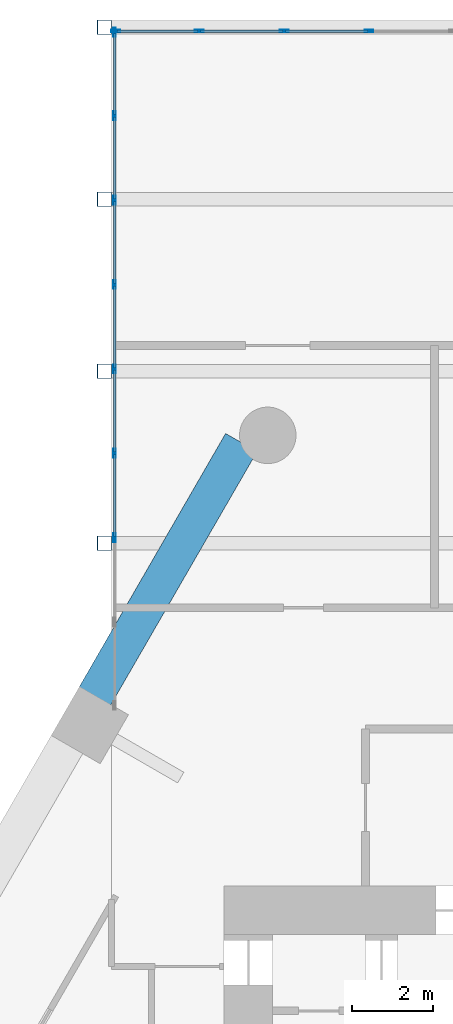
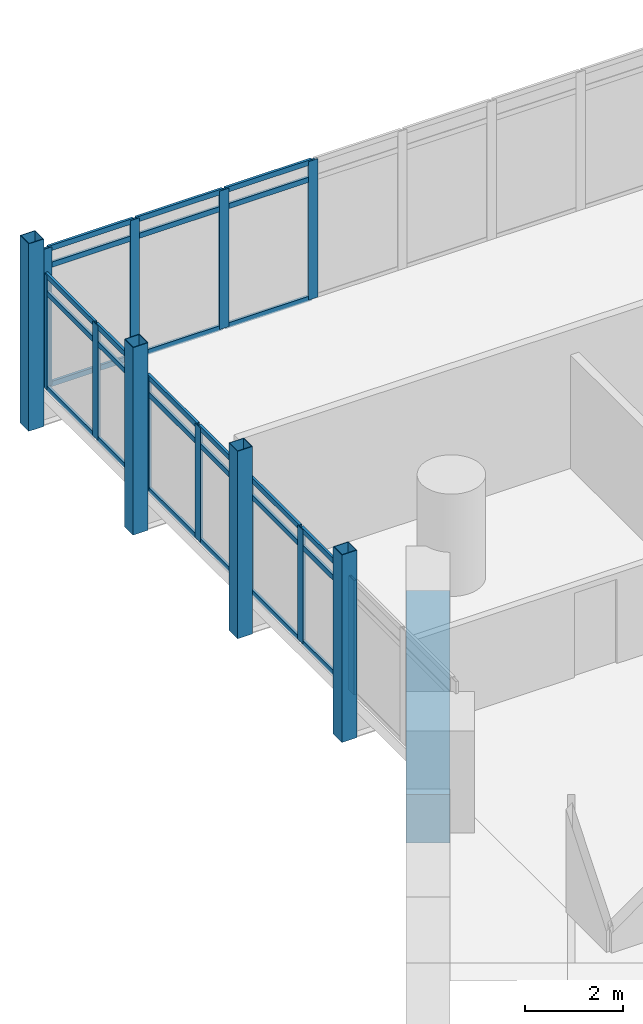
# One storey, part 13 of 28: 42 members, 1 beam, 2 elements without a shape of their own.
"""IFC4 building model written with IfcOpenShell, lengths in metres."""

from ifc_helpers import new_model, si_unit, direction, frame, origin, origin_2d, place, context, subcontext, project, spatial, rectangle, hollow_rectangle, extrude, material, material_profile, profile_set, type_object, element, aggregate, save


model = new_model("IFC4")

# Units and contexts
model_context = context("Model", 3, precision=1e-05, world=origin(), true_north=direction((0.0, 1.0)))
body_context = subcontext(model_context, "Body", "Model", "MODEL_VIEW")
ifc_project = project(units=[si_unit("LENGTHUNIT", "METRE"), si_unit("AREAUNIT", "SQUARE_METRE"), si_unit("VOLUMEUNIT", "CUBIC_METRE"), si_unit("PLANEANGLEUNIT", "RADIAN"), si_unit("MASSUNIT", "GRAM", prefix="KILO")], contexts=[model_context])

# Site, building, storey
site_placement = place(None, origin())
site = spatial("IfcSite", under=ifc_project, at=site_placement, CompositionType="ELEMENT")
building_placement = place(site_placement, origin())
building = spatial("IfcBuilding", under=site, at=building_placement, Name="Ostrander Bayou Hotel Tower", CompositionType="ELEMENT")
storey_placement = place(building_placement, frame((0.0, 0.0, 76.75)))
storey = spatial("IfcBuildingStorey", under=building, at=storey_placement, Name="L19", CompositionType="ELEMENT", Elevation=76.75)

# Curtain wall, members
ifc_material_1 = material(Name="Aluminium and clear glass", Category="aluminium")
curtain_wall_type = type_object("IfcCurtainWallType", Name="CW-BAR glazed wall", PredefinedType="NOTDEFINED", material=ifc_material_1)
curtain_wall_1_placement = place(storey_placement, origin())
curtain_wall_1 = element("IfcCurtainWall", 1, at=curtain_wall_1_placement, inside=storey, type_object=curtain_wall_type, Name="CW-BAR L19:SB1N:E", PredefinedType="NOTDEFINED")
ifc_material_2 = material(Name="Aluminium", Category="aluminium")
ifc_material_profile_1 = material_profile(ifc_material_2, hollow_rectangle(XDim=0.06005859375, YDim=0.219970703125, WallThickness=0.00390625, at=origin_2d()))
ifc_profile_set_1 = profile_set([ifc_material_profile_1], Name="Aluminium")
member_type_1 = type_object("IfcMemberType", Name="CW-BR mullion 60 x 220 mm", PredefinedType="MULLION", material=ifc_profile_set_1)
member_1_placement = place(storey_placement, frame((-14.712158203125, 18.33154296875, 0.0), z_axis=(0.0, 0.0, 1.0), x_axis=(-1.0, 0.0, 0.0)))
member_1 = element("IfcMember", 2, at=member_1_placement, type_object=member_type_1, Name="CW-BAR mullion 3", PredefinedType="MULLION", context=body_context, shape_type="SweptSolid", body=[
    extrude(hollow_rectangle(XDim=0.06005859375, YDim=0.219970703125, WallThickness=0.00390625, at=origin_2d()), origin(), (0.0, 0.0, 1.0), 2.85009765625),
])
member_2_placement = place(storey_placement, frame((-14.712158203125, 20.424072265625, 0.0), z_axis=(0.0, 0.0, 1.0), x_axis=(-1.0, 0.0, 0.0)))
member_2 = element("IfcMember", 3, at=member_2_placement, type_object=member_type_1, Name="CW-BAR mullion 4", PredefinedType="MULLION", context=body_context, shape_type="SweptSolid", body=[
    extrude(hollow_rectangle(XDim=0.06005859375, YDim=0.219970703125, WallThickness=0.00390625, at=origin_2d()), origin(), (0.0, 0.0, 1.0), 2.85009765625),
])
member_3_placement = place(storey_placement, frame((-14.712158203125, 22.5166015625, 0.0), z_axis=(0.0, 0.0, 1.0), x_axis=(-1.0, 0.0, 0.0)))
member_3 = element("IfcMember", 4, at=member_3_placement, type_object=member_type_1, Name="CW-BAR mullion 5", PredefinedType="MULLION", context=body_context, shape_type="SweptSolid", body=[
    extrude(hollow_rectangle(XDim=0.06005859375, YDim=0.219970703125, WallThickness=0.00390625, at=origin_2d()), origin(), (0.0, 0.0, 1.0), 2.85009765625),
])
member_4_placement = place(storey_placement, frame((-14.712158203125, 24.60888671875, 0.0), z_axis=(0.0, 0.0, 1.0), x_axis=(-1.0, 0.0, 0.0)))
member_4 = element("IfcMember", 5, at=member_4_placement, type_object=member_type_1, Name="CW-BAR mullion 6", PredefinedType="MULLION", context=body_context, shape_type="SweptSolid", body=[
    extrude(hollow_rectangle(XDim=0.06005859375, YDim=0.219970703125, WallThickness=0.00390625, at=origin_2d()), origin(), (0.0, 0.0, 1.0), 2.85009765625),
])
member_5_placement = place(storey_placement, frame((-14.712158203125, 26.701416015625, 0.0), z_axis=(0.0, 0.0, 1.0), x_axis=(-1.0, 0.0, 0.0)))
member_5 = element("IfcMember", 6, at=member_5_placement, type_object=member_type_1, Name="CW-BAR mullion 7", PredefinedType="MULLION", context=body_context, shape_type="SweptSolid", body=[
    extrude(hollow_rectangle(XDim=0.06005859375, YDim=0.219970703125, WallThickness=0.00390625, at=origin_2d()), origin(), (0.0, 0.0, 1.0), 2.85009765625),
])
member_6_placement = place(storey_placement, frame((-14.712158203125, 28.793701171875, 0.0), z_axis=(0.0, 0.0, 1.0), x_axis=(-1.0, 0.0, 0.0)))
member_6 = element("IfcMember", 7, at=member_6_placement, type_object=member_type_1, Name="CW-BAR mullion 8", PredefinedType="MULLION", context=body_context, shape_type="SweptSolid", body=[
    extrude(hollow_rectangle(XDim=0.06005859375, YDim=0.219970703125, WallThickness=0.00390625, at=origin_2d()), origin(), (0.0, 0.0, 1.0), 2.85009765625),
])
member_7_placement = place(storey_placement, frame((-14.712158203125, 30.856201171875, 0.0), z_axis=(0.0, 0.0, 1.0), x_axis=(-1.0, 0.0, 0.0)))
member_7 = element("IfcMember", 8, at=member_7_placement, type_object=member_type_1, Name="CW-BAR mullion 9", PredefinedType="MULLION", context=body_context, shape_type="SweptSolid", body=[
    extrude(hollow_rectangle(XDim=0.06005859375, YDim=0.219970703125, WallThickness=0.00390625, at=origin_2d()), origin(), (0.0, 0.0, 1.0), 2.85009765625),
])

curtain_wall_2_placement = place(storey_placement, origin())
curtain_wall_2 = element("IfcCurtainWall", 9, at=curtain_wall_2_placement, inside=storey, type_object=curtain_wall_type, Name="CW-BAR L19:SB1N:T", PredefinedType="NOTDEFINED")
member_8_placement = place(storey_placement, frame((-14.68212890625, 30.88623046875, 0.0), z_axis=(0.0, 0.0, 1.0), x_axis=(0.0, 1.0, 0.0)))
member_8 = element("IfcMember", 10, at=member_8_placement, type_object=member_type_1, Name="CW-BAR mullion 1", PredefinedType="MULLION", context=body_context, shape_type="SweptSolid", body=[
    extrude(hollow_rectangle(XDim=0.06005859375, YDim=0.219970703125, WallThickness=0.00390625, at=origin_2d()), origin(), (0.0, 0.0, 1.0), 3.449951171875),
])
member_9_placement = place(storey_placement, frame((-12.6103515625, 30.88623046875, 0.0), z_axis=(0.0, 0.0, 1.0), x_axis=(0.0, 1.0, 0.0)))
member_9 = element("IfcMember", 11, at=member_9_placement, type_object=member_type_1, Name="CW-BAR mullion 2", PredefinedType="MULLION", context=body_context, shape_type="SweptSolid", body=[
    extrude(hollow_rectangle(XDim=0.06005859375, YDim=0.219970703125, WallThickness=0.00390625, at=origin_2d()), origin(), (0.0, 0.0, 1.0), 3.449951171875),
])
member_10_placement = place(storey_placement, frame((-10.5087890625, 30.88623046875, 0.0), z_axis=(0.0, 0.0, 1.0), x_axis=(0.0, 1.0, 0.0)))
member_10 = element("IfcMember", 12, at=member_10_placement, type_object=member_type_1, Name="CW-BAR mullion 3", PredefinedType="MULLION", context=body_context, shape_type="SweptSolid", body=[
    extrude(hollow_rectangle(XDim=0.06005859375, YDim=0.219970703125, WallThickness=0.00390625, at=origin_2d()), origin(), (0.0, 0.0, 1.0), 3.449951171875),
])
member_11_placement = place(storey_placement, frame((-8.406982421875, 30.88623046875, 0.0), z_axis=(0.0, 0.0, 1.0), x_axis=(0.0, 1.0, 0.0)))
member_11 = element("IfcMember", 13, at=member_11_placement, type_object=member_type_1, Name="CW-BAR mullion 4", PredefinedType="MULLION", context=body_context, shape_type="SweptSolid", body=[
    extrude(hollow_rectangle(XDim=0.06005859375, YDim=0.219970703125, WallThickness=0.00390625, at=origin_2d()), origin(), (0.0, 0.0, 1.0), 3.449951171875),
])

# Member
ifc_material_3 = material(Name="Aluminium", Category="aluminium")
ifc_material_profile_2 = material_profile(ifc_material_3, hollow_rectangle(XDim=0.06005859375, YDim=0.1298828125, WallThickness=0.00390625, at=origin_2d()))
ifc_profile_set_2 = profile_set([ifc_material_profile_2], Name="Aluminium")
member_type_2 = type_object("IfcMemberType", Name="CW-BR transom 60 x 130 mm", PredefinedType="USERDEFINED", material=ifc_profile_set_2)
member_12_placement = place(storey_placement, frame((-14.712158203125, 18.361572265625, 0.030029296875), z_axis=(0.0, 1.0, 0.0), x_axis=(-1.0, 0.0, 0.0)))
member_12 = element("IfcMember", 14, at=member_12_placement, type_object=member_type_2, Name="CW-BAR transom 3.1", ObjectType="TRANSOM", PredefinedType="USERDEFINED", context=body_context, shape_type="SweptSolid", body=[
    extrude(hollow_rectangle(XDim=0.06005859375, YDim=0.1298828125, WallThickness=0.00390625, at=origin_2d()), origin(), (0.0, 0.0, 1.0), 2.032470703125),
])

member_13_placement = place(storey_placement, frame((-14.712158203125, 18.361572265625, 2.39990234375), z_axis=(0.0, 1.0, 0.0), x_axis=(-1.0, 0.0, 0.0)))
member_13 = element("IfcMember", 15, at=member_13_placement, type_object=member_type_2, Name="CW-BAR transom 3.2", ObjectType="TRANSOM", PredefinedType="USERDEFINED", context=body_context, shape_type="SweptSolid", body=[
    extrude(hollow_rectangle(XDim=0.06005859375, YDim=0.1298828125, WallThickness=0.00390625, at=origin_2d()), origin(), (0.0, 0.0, 1.0), 2.032470703125),
])

member_14_placement = place(storey_placement, frame((-14.712158203125, 18.361572265625, 2.820068359375), z_axis=(0.0, 1.0, 0.0), x_axis=(-1.0, 0.0, 0.0)))
member_14 = element("IfcMember", 16, at=member_14_placement, type_object=member_type_2, Name="CW-BAR transom 3.3", ObjectType="TRANSOM", PredefinedType="USERDEFINED", context=body_context, shape_type="SweptSolid", body=[
    extrude(hollow_rectangle(XDim=0.06005859375, YDim=0.1298828125, WallThickness=0.00390625, at=origin_2d()), origin(), (0.0, 0.0, 1.0), 2.032470703125),
])

member_15_placement = place(storey_placement, frame((-14.712158203125, 20.4541015625, 0.030029296875), z_axis=(0.0, 1.0, 0.0), x_axis=(-1.0, 0.0, 0.0)))
member_15 = element("IfcMember", 17, at=member_15_placement, type_object=member_type_2, Name="CW-BAR transom 4.1", ObjectType="TRANSOM", PredefinedType="USERDEFINED", context=body_context, shape_type="SweptSolid", body=[
    extrude(hollow_rectangle(XDim=0.06005859375, YDim=0.1298828125, WallThickness=0.00390625, at=origin_2d()), origin(), (0.0, 0.0, 1.0), 2.032470703125),
])

member_16_placement = place(storey_placement, frame((-14.712158203125, 20.4541015625, 2.39990234375), z_axis=(0.0, 1.0, 0.0), x_axis=(-1.0, 0.0, 0.0)))
member_16 = element("IfcMember", 18, at=member_16_placement, type_object=member_type_2, Name="CW-BAR transom 4.2", ObjectType="TRANSOM", PredefinedType="USERDEFINED", context=body_context, shape_type="SweptSolid", body=[
    extrude(hollow_rectangle(XDim=0.06005859375, YDim=0.1298828125, WallThickness=0.00390625, at=origin_2d()), origin(), (0.0, 0.0, 1.0), 2.032470703125),
])

member_17_placement = place(storey_placement, frame((-14.712158203125, 20.4541015625, 2.820068359375), z_axis=(0.0, 1.0, 0.0), x_axis=(-1.0, 0.0, 0.0)))
member_17 = element("IfcMember", 19, at=member_17_placement, type_object=member_type_2, Name="CW-BAR transom 4.3", ObjectType="TRANSOM", PredefinedType="USERDEFINED", context=body_context, shape_type="SweptSolid", body=[
    extrude(hollow_rectangle(XDim=0.06005859375, YDim=0.1298828125, WallThickness=0.00390625, at=origin_2d()), origin(), (0.0, 0.0, 1.0), 2.032470703125),
])

member_18_placement = place(storey_placement, frame((-14.712158203125, 22.54638671875, 0.030029296875), z_axis=(0.0, 1.0, 0.0), x_axis=(-1.0, 0.0, 0.0)))
member_18 = element("IfcMember", 20, at=member_18_placement, type_object=member_type_2, Name="CW-BAR transom 5.1", ObjectType="TRANSOM", PredefinedType="USERDEFINED", context=body_context, shape_type="SweptSolid", body=[
    extrude(hollow_rectangle(XDim=0.06005859375, YDim=0.1298828125, WallThickness=0.00390625, at=origin_2d()), origin(), (0.0, 0.0, 1.0), 2.032470703125),
])

member_19_placement = place(storey_placement, frame((-14.712158203125, 22.54638671875, 2.39990234375), z_axis=(0.0, 1.0, 0.0), x_axis=(-1.0, 0.0, 0.0)))
member_19 = element("IfcMember", 21, at=member_19_placement, type_object=member_type_2, Name="CW-BAR transom 5.2", ObjectType="TRANSOM", PredefinedType="USERDEFINED", context=body_context, shape_type="SweptSolid", body=[
    extrude(hollow_rectangle(XDim=0.06005859375, YDim=0.1298828125, WallThickness=0.00390625, at=origin_2d()), origin(), (0.0, 0.0, 1.0), 2.032470703125),
])

member_20_placement = place(storey_placement, frame((-14.712158203125, 22.54638671875, 2.820068359375), z_axis=(0.0, 1.0, 0.0), x_axis=(-1.0, 0.0, 0.0)))
member_20 = element("IfcMember", 22, at=member_20_placement, type_object=member_type_2, Name="CW-BAR transom 5.3", ObjectType="TRANSOM", PredefinedType="USERDEFINED", context=body_context, shape_type="SweptSolid", body=[
    extrude(hollow_rectangle(XDim=0.06005859375, YDim=0.1298828125, WallThickness=0.00390625, at=origin_2d()), origin(), (0.0, 0.0, 1.0), 2.032470703125),
])

member_21_placement = place(storey_placement, frame((-14.712158203125, 24.638916015625, 0.030029296875), z_axis=(0.0, 1.0, 0.0), x_axis=(-1.0, 0.0, 0.0)))
member_21 = element("IfcMember", 23, at=member_21_placement, type_object=member_type_2, Name="CW-BAR transom 6.1", ObjectType="TRANSOM", PredefinedType="USERDEFINED", context=body_context, shape_type="SweptSolid", body=[
    extrude(hollow_rectangle(XDim=0.06005859375, YDim=0.1298828125, WallThickness=0.00390625, at=origin_2d()), origin(), (0.0, 0.0, 1.0), 2.032470703125),
])

member_22_placement = place(storey_placement, frame((-14.712158203125, 24.638916015625, 2.39990234375), z_axis=(0.0, 1.0, 0.0), x_axis=(-1.0, 0.0, 0.0)))
member_22 = element("IfcMember", 24, at=member_22_placement, type_object=member_type_2, Name="CW-BAR transom 6.2", ObjectType="TRANSOM", PredefinedType="USERDEFINED", context=body_context, shape_type="SweptSolid", body=[
    extrude(hollow_rectangle(XDim=0.06005859375, YDim=0.1298828125, WallThickness=0.00390625, at=origin_2d()), origin(), (0.0, 0.0, 1.0), 2.032470703125),
])

member_23_placement = place(storey_placement, frame((-14.712158203125, 24.638916015625, 2.820068359375), z_axis=(0.0, 1.0, 0.0), x_axis=(-1.0, 0.0, 0.0)))
member_23 = element("IfcMember", 25, at=member_23_placement, type_object=member_type_2, Name="CW-BAR transom 6.3", ObjectType="TRANSOM", PredefinedType="USERDEFINED", context=body_context, shape_type="SweptSolid", body=[
    extrude(hollow_rectangle(XDim=0.06005859375, YDim=0.1298828125, WallThickness=0.00390625, at=origin_2d()), origin(), (0.0, 0.0, 1.0), 2.032470703125),
])

member_24_placement = place(storey_placement, frame((-14.712158203125, 26.7314453125, 0.030029296875), z_axis=(0.0, 1.0, 0.0), x_axis=(-1.0, 0.0, 0.0)))
member_24 = element("IfcMember", 26, at=member_24_placement, type_object=member_type_2, Name="CW-BAR transom 7.1", ObjectType="TRANSOM", PredefinedType="USERDEFINED", context=body_context, shape_type="SweptSolid", body=[
    extrude(hollow_rectangle(XDim=0.06005859375, YDim=0.1298828125, WallThickness=0.00390625, at=origin_2d()), origin(), (0.0, 0.0, 1.0), 2.0322265625),
])

member_25_placement = place(storey_placement, frame((-14.712158203125, 26.7314453125, 2.39990234375), z_axis=(0.0, 1.0, 0.0), x_axis=(-1.0, 0.0, 0.0)))
member_25 = element("IfcMember", 27, at=member_25_placement, type_object=member_type_2, Name="CW-BAR transom 7.2", ObjectType="TRANSOM", PredefinedType="USERDEFINED", context=body_context, shape_type="SweptSolid", body=[
    extrude(hollow_rectangle(XDim=0.06005859375, YDim=0.1298828125, WallThickness=0.00390625, at=origin_2d()), origin(), (0.0, 0.0, 1.0), 2.0322265625),
])

member_26_placement = place(storey_placement, frame((-14.712158203125, 26.7314453125, 2.820068359375), z_axis=(0.0, 1.0, 0.0), x_axis=(-1.0, 0.0, 0.0)))
member_26 = element("IfcMember", 28, at=member_26_placement, type_object=member_type_2, Name="CW-BAR transom 7.3", ObjectType="TRANSOM", PredefinedType="USERDEFINED", context=body_context, shape_type="SweptSolid", body=[
    extrude(hollow_rectangle(XDim=0.06005859375, YDim=0.1298828125, WallThickness=0.00390625, at=origin_2d()), origin(), (0.0, 0.0, 1.0), 2.0322265625),
])

member_27_placement = place(storey_placement, frame((-14.712158203125, 28.82373046875, 0.030029296875), z_axis=(0.0, 1.0, 0.0), x_axis=(-1.0, 0.0, 0.0)))
member_27 = element("IfcMember", 29, at=member_27_placement, type_object=member_type_2, Name="CW-BAR transom 8.1", ObjectType="TRANSOM", PredefinedType="USERDEFINED", context=body_context, shape_type="SweptSolid", body=[
    extrude(hollow_rectangle(XDim=0.06005859375, YDim=0.1298828125, WallThickness=0.00390625, at=origin_2d()), origin(), (0.0, 0.0, 1.0), 2.00244140625),
])

member_28_placement = place(storey_placement, frame((-14.712158203125, 28.82373046875, 2.39990234375), z_axis=(0.0, 1.0, 0.0), x_axis=(-1.0, 0.0, 0.0)))
member_28 = element("IfcMember", 30, at=member_28_placement, type_object=member_type_2, Name="CW-BAR transom 8.2", ObjectType="TRANSOM", PredefinedType="USERDEFINED", context=body_context, shape_type="SweptSolid", body=[
    extrude(hollow_rectangle(XDim=0.06005859375, YDim=0.1298828125, WallThickness=0.00390625, at=origin_2d()), origin(), (0.0, 0.0, 1.0), 2.00244140625),
])

member_29_placement = place(storey_placement, frame((-14.712158203125, 28.82373046875, 2.820068359375), z_axis=(0.0, 1.0, 0.0), x_axis=(-1.0, 0.0, 0.0)))
member_29 = element("IfcMember", 31, at=member_29_placement, type_object=member_type_2, Name="CW-BAR transom 8.3", ObjectType="TRANSOM", PredefinedType="USERDEFINED", context=body_context, shape_type="SweptSolid", body=[
    extrude(hollow_rectangle(XDim=0.06005859375, YDim=0.1298828125, WallThickness=0.00390625, at=origin_2d()), origin(), (0.0, 0.0, 1.0), 2.00244140625),
])

aggregate(curtain_wall_1, [member_1, member_2, member_3, member_4, member_5, member_6, member_7, member_12, member_13, member_14, member_15, member_16, member_17, member_18, member_19, member_20, member_21, member_22, member_23, member_24, member_25, member_26, member_27, member_28, member_29])

member_30_placement = place(storey_placement, frame((-14.652099609375, 30.88623046875, 0.030029296875), z_axis=(1.0, 0.0, 0.0), x_axis=(0.0, 1.0, 0.0)))
member_30 = element("IfcMember", 32, at=member_30_placement, type_object=member_type_2, Name="CW-BAR transom 1.1", ObjectType="TRANSOM", PredefinedType="USERDEFINED", context=body_context, shape_type="SweptSolid", body=[
    extrude(hollow_rectangle(XDim=0.06005859375, YDim=0.1298828125, WallThickness=0.00390625, at=origin_2d()), origin(), (0.0, 0.0, 1.0), 2.01171875),
])

member_31_placement = place(storey_placement, frame((-14.652099609375, 30.88623046875, 3.0), z_axis=(1.0, 0.0, 0.0), x_axis=(0.0, 1.0, 0.0)))
member_31 = element("IfcMember", 33, at=member_31_placement, type_object=member_type_2, Name="CW-BAR transom 1.2", ObjectType="TRANSOM", PredefinedType="USERDEFINED", context=body_context, shape_type="SweptSolid", body=[
    extrude(hollow_rectangle(XDim=0.06005859375, YDim=0.1298828125, WallThickness=0.00390625, at=origin_2d()), origin(), (0.0, 0.0, 1.0), 2.01171875),
])

member_32_placement = place(storey_placement, frame((-14.652099609375, 30.88623046875, 3.419921875), z_axis=(1.0, 0.0, 0.0), x_axis=(0.0, 1.0, 0.0)))
member_32 = element("IfcMember", 34, at=member_32_placement, type_object=member_type_2, Name="CW-BAR transom 1.3", ObjectType="TRANSOM", PredefinedType="USERDEFINED", context=body_context, shape_type="SweptSolid", body=[
    extrude(hollow_rectangle(XDim=0.06005859375, YDim=0.1298828125, WallThickness=0.00390625, at=origin_2d()), origin(), (0.0, 0.0, 1.0), 2.01171875),
])

member_33_placement = place(storey_placement, frame((-12.58056640625, 30.88623046875, 0.030029296875), z_axis=(1.0, 0.0, 0.0), x_axis=(0.0, 1.0, 0.0)))
member_33 = element("IfcMember", 35, at=member_33_placement, type_object=member_type_2, Name="CW-BAR transom 2.1", ObjectType="TRANSOM", PredefinedType="USERDEFINED", context=body_context, shape_type="SweptSolid", body=[
    extrude(hollow_rectangle(XDim=0.06005859375, YDim=0.1298828125, WallThickness=0.00390625, at=origin_2d()), origin(), (0.0, 0.0, 1.0), 2.041748046875),
])

member_34_placement = place(storey_placement, frame((-12.58056640625, 30.88623046875, 3.0), z_axis=(1.0, 0.0, 0.0), x_axis=(0.0, 1.0, 0.0)))
member_34 = element("IfcMember", 36, at=member_34_placement, type_object=member_type_2, Name="CW-BAR transom 2.2", ObjectType="TRANSOM", PredefinedType="USERDEFINED", context=body_context, shape_type="SweptSolid", body=[
    extrude(hollow_rectangle(XDim=0.06005859375, YDim=0.1298828125, WallThickness=0.00390625, at=origin_2d()), origin(), (0.0, 0.0, 1.0), 2.041748046875),
])

member_35_placement = place(storey_placement, frame((-12.58056640625, 30.88623046875, 3.419921875), z_axis=(1.0, 0.0, 0.0), x_axis=(0.0, 1.0, 0.0)))
member_35 = element("IfcMember", 37, at=member_35_placement, type_object=member_type_2, Name="CW-BAR transom 2.3", ObjectType="TRANSOM", PredefinedType="USERDEFINED", context=body_context, shape_type="SweptSolid", body=[
    extrude(hollow_rectangle(XDim=0.06005859375, YDim=0.1298828125, WallThickness=0.00390625, at=origin_2d()), origin(), (0.0, 0.0, 1.0), 2.041748046875),
])

member_36_placement = place(storey_placement, frame((-10.478759765625, 30.88623046875, 0.030029296875), z_axis=(1.0, 0.0, 0.0), x_axis=(0.0, 1.0, 0.0)))
member_36 = element("IfcMember", 38, at=member_36_placement, type_object=member_type_2, Name="CW-BAR transom 3.1", ObjectType="TRANSOM", PredefinedType="USERDEFINED", context=body_context, shape_type="SweptSolid", body=[
    extrude(hollow_rectangle(XDim=0.06005859375, YDim=0.1298828125, WallThickness=0.00390625, at=origin_2d()), origin(), (0.0, 0.0, 1.0), 2.041748046875),
])

member_37_placement = place(storey_placement, frame((-10.478759765625, 30.88623046875, 3.0), z_axis=(1.0, 0.0, 0.0), x_axis=(0.0, 1.0, 0.0)))
member_37 = element("IfcMember", 39, at=member_37_placement, type_object=member_type_2, Name="CW-BAR transom 3.2", ObjectType="TRANSOM", PredefinedType="USERDEFINED", context=body_context, shape_type="SweptSolid", body=[
    extrude(hollow_rectangle(XDim=0.06005859375, YDim=0.1298828125, WallThickness=0.00390625, at=origin_2d()), origin(), (0.0, 0.0, 1.0), 2.041748046875),
])

member_38_placement = place(storey_placement, frame((-10.478759765625, 30.88623046875, 3.419921875), z_axis=(1.0, 0.0, 0.0), x_axis=(0.0, 1.0, 0.0)))
member_38 = element("IfcMember", 40, at=member_38_placement, type_object=member_type_2, Name="CW-BAR transom 3.3", ObjectType="TRANSOM", PredefinedType="USERDEFINED", context=body_context, shape_type="SweptSolid", body=[
    extrude(hollow_rectangle(XDim=0.06005859375, YDim=0.1298828125, WallThickness=0.00390625, at=origin_2d()), origin(), (0.0, 0.0, 1.0), 2.041748046875),
])

aggregate(curtain_wall_2, [member_8, member_9, member_10, member_11, member_30, member_31, member_32, member_33, member_34, member_35, member_36, member_37, member_38])

# Beam
ifc_material_4 = material(Name="Concrete f'c 70 MPa", Category="concrete")
ifc_material_profile_3 = material_profile(ifc_material_4, rectangle(XDim=0.89990234375, YDim=1.199951171875, at=origin_2d()))
ifc_profile_set_3 = profile_set([ifc_material_profile_3], Name="Concrete f'c 70 MPa")
beam_type = type_object("IfcBeamType", Name="SP1 spandrel beam 900 x 1200 mm f'c 70 MPa", PredefinedType="SPANDREL", material=ifc_profile_set_3)
beam_placement = place(storey_placement, frame((-11.5712890625, 20.694091796875, -0.60009765625), z_axis=(-0.50000343918, -0.866023418164, 0.0), x_axis=(0.866023418164, -0.50000343918, 0.0)))
element("IfcBeam", 41, at=beam_placement, inside=storey, type_object=beam_type, Name="SP1 L19 NW-1", PredefinedType="SPANDREL", context=body_context, shape_type="SweptSolid", body=[
    extrude(rectangle(XDim=0.89990234375, YDim=1.199951171875, at=origin_2d()), origin(), (0.0, 0.0, 1.0), 7.2705078125),
])

# Members
ifc_material_5 = material(Name="Steel ASTM A500 Gr C", Category="steel")
ifc_material_profile_4 = material_profile(ifc_material_5, hollow_rectangle(XDim=0.355712890625, YDim=0.355712890625, WallThickness=0.0146484375, at=origin_2d()))
ifc_profile_set_4 = profile_set([ifc_material_profile_4], Name="Steel ASTM A500 Gr C")
member_type_3 = type_object("IfcMemberType", Name="TH1 bar hanger HSS14x14x5/8", PredefinedType="POST", material=ifc_profile_set_4)
for number, where, z_axis, x_axis, name in (
    (42, (-14.965087890625, 30.986083984375, -0.921875), (0.0, 0.0, 1.0), (1.0, 0.0, 0.0), "TH1 SB1WA H1-4"),
    (43, (-14.965087890625, 26.723876953125, -0.921875), (0.0, 0.0, 1.0), (1.0, 0.0, 0.0), "TH1 SB1WA H2-4"),
    (44, (-14.965087890625, 22.46142578125, -0.921875), (0.0, 0.0, 1.0), (1.0, 0.0, 0.0), "TH1 SB1WA H3-4"),
    (45, (-14.965087890625, 18.198974609375, -0.921875), (0.0, 0.0, 1.0), (1.0, 0.0, 0.0), "TH1 SB1WA H4-4"),
):
    element("IfcMember", number, at=place(storey_placement, frame(where, z_axis=z_axis, x_axis=x_axis)), inside=storey, type_object=member_type_3, Name=name, PredefinedType="POST", context=body_context, shape_type="SweptSolid", body=[
        extrude(hollow_rectangle(XDim=0.355712890625, YDim=0.355712890625, WallThickness=0.0146484375, at=origin_2d()), origin(), (0.0, 0.0, 1.0), 4.671875),
    ])

save(model, "model.ifc")
